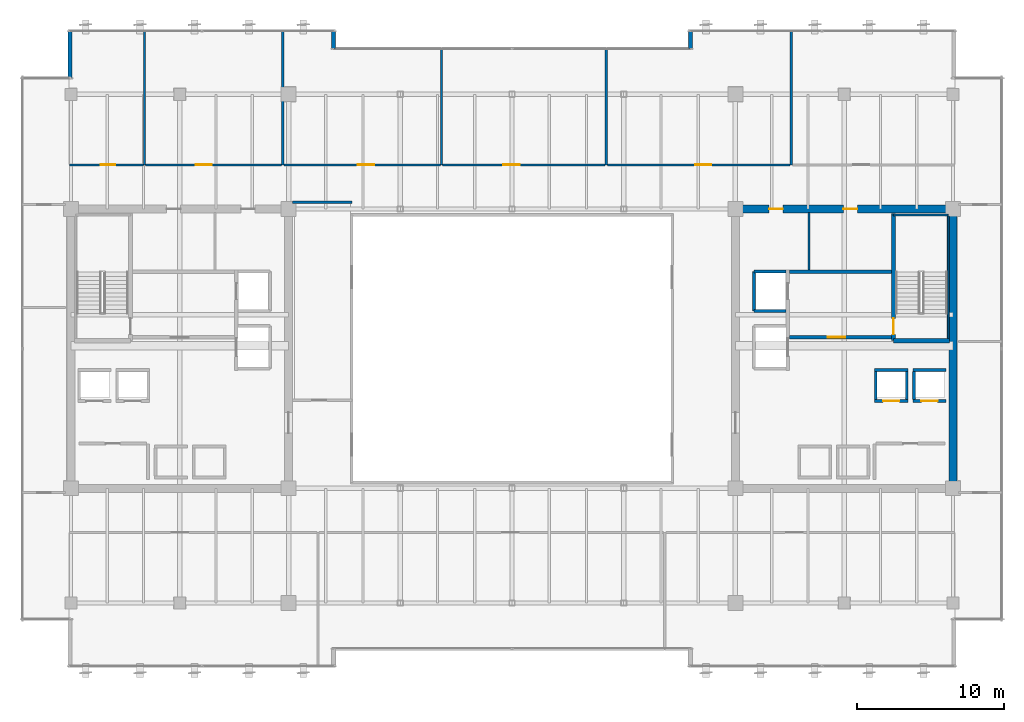
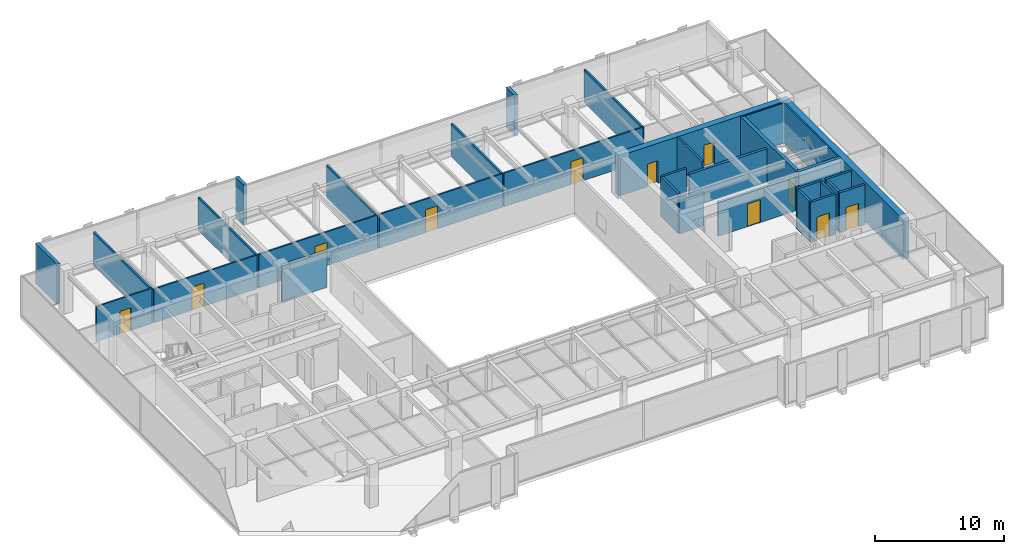
# One storey, part 30 of 35: 33 walls, 11 doors, 11 openings.
"""IFC4 building model written with IfcOpenShell, lengths in metres."""

from ifc_helpers import new_model, si_unit, direction, frame, frame_2d, origin, place, context, subcontext, project, spatial, rectangle, extrude, source, transform, mapped, material, layer, layer_set, type_object, type_shapes, element, fill, save


model = new_model("IFC4")

# Units and contexts
model_context = context("Model", 3, precision=1e-05, world=origin(), true_north=direction((0.0, 1.0)))
body_context = subcontext(model_context, "Body", "Model", "MODEL_VIEW")
ifc_project = project(units=[si_unit("LENGTHUNIT", "METRE"), si_unit("AREAUNIT", "SQUARE_METRE"), si_unit("VOLUMEUNIT", "CUBIC_METRE"), si_unit("PLANEANGLEUNIT", "RADIAN"), si_unit("MASSUNIT", "GRAM", prefix="KILO")], contexts=[model_context])

# Site, building, storey
site_placement = place(None, origin())
site = spatial("IfcSite", under=ifc_project, at=site_placement, CompositionType="ELEMENT")
building_placement = place(site_placement, origin())
building = spatial("IfcBuilding", under=site, at=building_placement, Name="Haelvirn Gate Laboratories", CompositionType="ELEMENT")
storey_placement = place(building_placement, frame((0.0, 0.0, 201.39990234375)))
storey = spatial("IfcBuildingStorey", under=building, at=storey_placement, Name="L48", CompositionType="ELEMENT", Elevation=201.39990234375)

# Walls
ifc_material_1 = material(Name="Thermally-broken bronze aluminium rainscreen & mineral wool", Category="aluminium")
ifc_layer_1 = layer(ifc_material_1, 0.280029296875, Name="EW-TERR-280")
ifc_layer_set_1 = layer_set([ifc_layer_1], Name="Thermally-broken bronze aluminium rainscreen & mineral wool")
wall_type_1 = type_object("IfcWallType", Name="EW-TERR-280", PredefinedType="STANDARD", material=ifc_layer_set_1)
for number, where, z_axis, x_axis, name in (
    (1, (49.5400390625, 46.0, 0.0), (0.0, 0.0, 1.0), (0.0, -1.0, 0.0), "L48 Atrium Recess Bronze Return Wall 11"),
    (2, (25.260009765625, 44.70703125, 0.0), (0.0, 0.0, 1.0), (0.0, 1.0, 0.0), "L48 Atrium Recess Bronze Return Wall 13"),
):
    element("IfcWall", number, at=place(storey_placement, frame(where, z_axis=z_axis, x_axis=x_axis)), inside=storey, type_object=wall_type_1, Name=name, PredefinedType="STANDARD", context=body_context, shape_type="SweptSolid", body=[
        extrude(rectangle(XDim=1.29296875, YDim=0.280029296875, at=frame_2d((0.646484375, 0.0))), origin(), (0.0, 0.0, 1.0), 3.800048828125),
    ])
wall_1_placement = place(storey_placement, frame((7.340087890625, 46.0, 0.0), z_axis=(0.0, 0.0, 1.0), x_axis=(0.0, -1.0, 0.0)))
element("IfcWall", 3, at=wall_1_placement, inside=storey, type_object=wall_type_1, Name="L48 Atrium Recess Bronze Return Wall 15", PredefinedType="STANDARD", context=body_context, shape_type="SweptSolid", body=[
    extrude(rectangle(XDim=3.2880859375, YDim=0.280029296875, at=frame_2d((1.64404296875, 0.0))), origin(), (0.0, 0.0, 1.0), 3.800048828125),
])
ifc_material_2 = material(Name="Double-layer acoustic gypsum laboratory partition", Category="gypsum")
ifc_layer_2 = layer(ifc_material_2, 0.159912109375, Name="IW-ACOUST-160")
ifc_layer_set_2 = layer_set([ifc_layer_2], Name="Double-layer acoustic gypsum laboratory partition")
wall_type_2 = type_object("IfcWallType", Name="IW-ACOUST-160", PredefinedType="PARTITIONING", material=ifc_layer_set_2)
for number, where, z_axis, x_axis, name in (
    (4, (12.39990234375, 36.81005859375, 0.0), (0.0, 0.0, 1.0), (0.0, 1.0, 0.0), "L48 Interior Wall IW-L48-NDIV-01"),
    (5, (21.800048828125, 36.81005859375, 0.0), (0.0, 0.0, 1.0), (0.0, 1.0, 0.0), "L48 Interior Wall IW-L48-NDIV-02"),
):
    element("IfcWall", number, at=place(storey_placement, frame(where, z_axis=z_axis, x_axis=x_axis)), inside=storey, type_object=wall_type_2, Name=name, PredefinedType="PARTITIONING", context=body_context, shape_type="SweptSolid", body=[
        extrude(rectangle(XDim=9.079833984375, YDim=0.159912109375, at=frame_2d((4.5400390625, 0.0))), origin(), (0.0, 0.0, 1.0), 3.135009765625),
    ])
for number, where, z_axis, x_axis, name in (
    (6, (32.60009765625, 36.81005859375, 0.0), (0.0, 0.0, 1.0), (0.0, 1.0, 0.0), "L48 Interior Wall IW-L48-NDIV-03"),
    (7, (43.800048828125, 36.81005859375, 0.0), (0.0, 0.0, 1.0), (0.0, 1.0, 0.0), "L48 Interior Wall IW-L48-NDIV-04"),
):
    element("IfcWall", number, at=place(storey_placement, frame(where, z_axis=z_axis, x_axis=x_axis)), inside=storey, type_object=wall_type_2, Name=name, PredefinedType="PARTITIONING", context=body_context, shape_type="SweptSolid", body=[
        extrude(rectangle(XDim=7.8798828125, YDim=0.159912109375, at=frame_2d((3.93994140625, 0.0))), origin(), (0.0, 0.0, 1.0), 3.135009765625),
    ])
wall_2_placement = place(storey_placement, frame((56.39990234375, 36.81005859375, 0.0), z_axis=(0.0, 0.0, 1.0), x_axis=(0.0, 1.0, 0.0)))
element("IfcWall", 8, at=wall_2_placement, inside=storey, type_object=wall_type_2, Name="L48 Interior Wall IW-L48-NDIV-05", PredefinedType="PARTITIONING", context=body_context, shape_type="SweptSolid", body=[
    extrude(rectangle(XDim=9.079833984375, YDim=0.159912109375, at=frame_2d((4.5400390625, 0.0))), origin(), (0.0, 0.0, 1.0), 3.135009765625),
])
ifc_material_3 = material(Name="Fire-rated acoustic gypsum board partition", Category="gypsum")
ifc_layer_3 = layer(ifc_material_3, 0.175048828125, Name="IW-ACOUST-180")
ifc_layer_set_3 = layer_set([ifc_layer_3], Name="Fire-rated acoustic gypsum board partition")
wall_type_3 = type_object("IfcWallType", Name="IW-ACOUST-180", PredefinedType="PARTITIONING", material=ifc_layer_set_3)
wall_3_placement = place(storey_placement, frame((22.47509765625, 34.260009765625, 0.0), z_axis=(0.0, 0.0, 1.0), x_axis=(1.0, 0.0, 0.0)))
element("IfcWall", 9, at=wall_3_placement, inside=storey, type_object=wall_type_3, Name="L48 Interior Wall IW-L48-WPOD-N", PredefinedType="PARTITIONING", context=body_context, shape_type="SweptSolid", body=[
    extrude(rectangle(XDim=4.02490234375, YDim=0.175048828125, at=frame_2d((2.012451171875, 0.0))), origin(), (0.0, 0.0, 1.0), 3.485107421875),
])

# Wall, opening, door
ifc_material_4 = material(Name="Acoustic mineral-wool gypsum board partition", Category="gypsum")
ifc_layer_4 = layer(ifc_material_4, 0.139892578125, Name="IW-PART-140")
ifc_layer_set_4 = layer_set([ifc_layer_4], Name="Acoustic mineral-wool gypsum board partition")
wall_type_4 = type_object("IfcWallType", Name="IW-PART-140", PredefinedType="PARTITIONING", material=ifc_layer_set_4)
wall_4_placement = place(storey_placement, frame((7.31005859375, 36.81005859375, 0.0), z_axis=(0.0, 0.0, 1.0), x_axis=(1.0, 0.0, 0.0)))
wall_4 = element("IfcWall", 10, at=wall_4_placement, inside=storey, type_object=wall_type_4, Name="L48 Interior Wall IW-L48-NCORR-01", PredefinedType="PARTITIONING", context=body_context, shape_type="SweptSolid", body=[
    extrude(rectangle(XDim=5.010009765625, YDim=0.139892578125, at=frame_2d((2.5048828125, 0.0))), origin(), (0.0, 0.0, 1.0), 3.335205078125),
])
opening_1_placement = place(wall_4_placement, frame((2.104248046875, 0.0, 0.0)))
opening_1 = element("IfcOpeningElement", 11, at=opening_1_placement, cuts=wall_4, Name="Opening D2", PredefinedType="OPENING", context=body_context, shape_type="SweptSolid", body=[
    extrude(rectangle(XDim=1.0, YDim=2.14990234375, at=frame_2d((0.5, 1.074951171875))), frame((0.0, 0.080078125, 0.0), z_axis=(0.0, -1.0, 0.0), x_axis=(1.0, 0.0, 0.0)), (0.0, 0.0, 1.0), 0.159912109375),
])
ifc_material_5 = material(Name="Acoustic solid-core timber suite door", Category="wood")
door_type_1 = type_object("IfcDoorType", Name="DR-INT-1000", OperationType="NOTDEFINED", PredefinedType="DOOR", material=ifc_material_5)
shared_shape_1 = source(origin(), body_context, "Body", "SweptSolid", [
    extrude(rectangle(XDim=1.0, YDim=2.14990234375, at=frame_2d((0.5, 1.074951171875))), frame((0.0, 0.02490234375, 0.0), z_axis=(0.0, -1.0, 0.0), x_axis=(1.0, 0.0, 0.0)), (0.0, 0.0, 1.0), 0.050048828125),
])
type_shapes(door_type_1, [shared_shape_1])
door_1_placement = place(opening_1_placement, origin())
door_1 = element("IfcDoor", 12, at=door_1_placement, inside=storey, type_object=door_type_1, Name="L48 Bioinformatics Dry-Lab Workspace Door N1", OperationType="SINGLE_SWING_RIGHT", OverallHeight=2.14990234375, OverallWidth=1.0, PredefinedType="DOOR", context=body_context, shape_type="MappedRepresentation", body=[
    mapped(shared_shape_1, transform((0.0, 0.0, 0.0), scale=1.0)),
])
fill(opening_1, door_1)

wall_5_placement = place(storey_placement, frame((12.47998046875, 36.81005859375, 0.0), z_axis=(0.0, 0.0, 1.0), x_axis=(1.0, 0.0, 0.0)))
wall_5 = element("IfcWall", 13, at=wall_5_placement, inside=storey, type_object=wall_type_4, Name="L48 Interior Wall IW-L48-NCORR-02", PredefinedType="PARTITIONING", context=body_context, shape_type="SweptSolid", body=[
    extrude(rectangle(XDim=9.239990234375, YDim=0.139892578125, at=frame_2d((4.6201171875, 0.0))), origin(), (0.0, 0.0, 1.0), 3.197021484375),
])
opening_2_placement = place(wall_5_placement, frame((3.400390625, 0.0, 0.0)))
opening_2 = element("IfcOpeningElement", 14, at=opening_2_placement, cuts=wall_5, Name="Opening D1", PredefinedType="OPENING", context=body_context, shape_type="SweptSolid", body=[
    extrude(rectangle(XDim=1.10009765625, YDim=2.179931640625, at=frame_2d((0.550048828125, 1.08984375))), frame((0.0, 0.080078125, 0.0), z_axis=(0.0, -1.0, 0.0), x_axis=(1.0, 0.0, 0.0)), (0.0, 0.0, 1.0), 0.159912109375),
])
ifc_material_6 = material(Name="Vision-panel acoustic solid-core timber lab door", Category="wood")
door_type_2 = type_object("IfcDoorType", Name="DR-LAB-1100", OperationType="NOTDEFINED", PredefinedType="DOOR", material=ifc_material_6)
shared_shape_2 = source(origin(), body_context, "Body", "SweptSolid", [
    extrude(rectangle(XDim=1.10009765625, YDim=2.179931640625, at=frame_2d((0.550048828125, 1.08984375))), frame((0.0, 0.02490234375, 0.0), z_axis=(0.0, -1.0, 0.0), x_axis=(1.0, 0.0, 0.0)), (0.0, 0.0, 1.0), 0.050048828125),
])
type_shapes(door_type_2, [shared_shape_2])
door_2_placement = place(opening_2_placement, origin())
door_2 = element("IfcDoor", 15, at=door_2_placement, inside=storey, type_object=door_type_2, Name="L48 Cryo-EM Imaging Suite Door N2", OperationType="SINGLE_SWING_LEFT", OverallHeight=2.179931640625, OverallWidth=1.10009765625, PredefinedType="DOOR", context=body_context, shape_type="MappedRepresentation", body=[
    mapped(shared_shape_2, transform((0.0, 0.0, 0.0), scale=1.0)),
])
fill(opening_2, door_2)

wall_6_placement = place(storey_placement, frame((21.8798828125, 36.81005859375, 0.0), z_axis=(0.0, 0.0, 1.0), x_axis=(1.0, 0.0, 0.0)))
wall_6 = element("IfcWall", 16, at=wall_6_placement, inside=storey, type_object=wall_type_4, Name="L48 Interior Wall IW-L48-NCORR-03", PredefinedType="PARTITIONING", context=body_context, shape_type="SweptSolid", body=[
    extrude(rectangle(XDim=10.64013671875, YDim=0.139892578125, at=frame_2d((5.320068359375, 0.0))), origin(), (0.0, 0.0, 1.0), 3.197021484375),
])
opening_3_placement = place(wall_6_placement, frame((5.03515625, 0.0, 0.0)))
opening_3 = element("IfcOpeningElement", 17, at=opening_3_placement, cuts=wall_6, Name="Opening D1", PredefinedType="OPENING", context=body_context, shape_type="SweptSolid", body=[
    extrude(rectangle(XDim=1.10009765625, YDim=2.179931640625, at=frame_2d((0.550048828125, 1.08984375))), frame((0.0, 0.080078125, 0.0), z_axis=(0.0, -1.0, 0.0), x_axis=(1.0, 0.0, 0.0)), (0.0, 0.0, 1.0), 0.159912109375),
])
door_3_placement = place(opening_3_placement, origin())
door_3 = element("IfcDoor", 18, at=door_3_placement, inside=storey, type_object=door_type_2, Name="L48 Analytical Instrument Suite Door N3", OperationType="SINGLE_SWING_RIGHT", OverallHeight=2.179931640625, OverallWidth=1.10009765625, PredefinedType="DOOR", context=body_context, shape_type="MappedRepresentation", body=[
    mapped(shared_shape_2, transform((0.0, 0.0, 0.0), scale=1.0)),
])
fill(opening_3, door_3)

wall_7_placement = place(storey_placement, frame((32.679931640625, 36.81005859375, 0.0), z_axis=(0.0, 0.0, 1.0), x_axis=(1.0, 0.0, 0.0)))
wall_7 = element("IfcWall", 19, at=wall_7_placement, inside=storey, type_object=wall_type_4, Name="L48 Interior Wall IW-L48-NCORR-04", PredefinedType="PARTITIONING", context=body_context, shape_type="SweptSolid", body=[
    extrude(rectangle(XDim=11.0400390625, YDim=0.139892578125, at=frame_2d((5.52001953125, 0.0))), origin(), (0.0, 0.0, 1.0), 3.197021484375),
])
opening_4_placement = place(wall_7_placement, frame((4.138427734375, 0.0, 0.0)))
opening_4 = element("IfcOpeningElement", 20, at=opening_4_placement, cuts=wall_7, Name="Opening D1", PredefinedType="OPENING", context=body_context, shape_type="SweptSolid", body=[
    extrude(rectangle(XDim=1.10009765625, YDim=2.179931640625, at=frame_2d((0.550048828125, 1.08984375))), frame((0.0, 0.080078125, 0.0), z_axis=(0.0, -1.0, 0.0), x_axis=(1.0, 0.0, 0.0)), (0.0, 0.0, 1.0), 0.159912109375),
])
door_4_placement = place(opening_4_placement, origin())
door_4 = element("IfcDoor", 21, at=door_4_placement, inside=storey, type_object=door_type_2, Name="L48 Cleanroom Metrology Suite Door N4", OperationType="SINGLE_SWING_LEFT", OverallHeight=2.179931640625, OverallWidth=1.10009765625, PredefinedType="DOOR", context=body_context, shape_type="MappedRepresentation", body=[
    mapped(shared_shape_2, transform((0.0, 0.0, 0.0), scale=1.0)),
])
fill(opening_4, door_4)

wall_8_placement = place(storey_placement, frame((43.8798828125, 36.81005859375, 0.0), z_axis=(0.0, 0.0, 1.0), x_axis=(1.0, 0.0, 0.0)))
wall_8 = element("IfcWall", 22, at=wall_8_placement, inside=storey, type_object=wall_type_4, Name="L48 Interior Wall IW-L48-NCORR-05", PredefinedType="PARTITIONING", context=body_context, shape_type="SweptSolid", body=[
    extrude(rectangle(XDim=12.440185546875, YDim=0.139892578125, at=frame_2d((6.22021484375, 0.0))), origin(), (0.0, 0.0, 1.0), 3.197021484375),
])
opening_5_placement = place(wall_8_placement, frame((5.9892578125, 0.0, 0.0)))
opening_5 = element("IfcOpeningElement", 23, at=opening_5_placement, cuts=wall_8, Name="Opening D1", PredefinedType="OPENING", context=body_context, shape_type="SweptSolid", body=[
    extrude(rectangle(XDim=1.10009765625, YDim=2.179931640625, at=frame_2d((0.550048828125, 1.08984375))), frame((0.0, 0.080078125, 0.0), z_axis=(0.0, -1.0, 0.0), x_axis=(1.0, 0.0, 0.0)), (0.0, 0.0, 1.0), 0.159912109375),
])
door_5_placement = place(opening_5_placement, origin())
door_5 = element("IfcDoor", 24, at=door_5_placement, inside=storey, type_object=door_type_2, Name="L48 Cryo-EM Imaging Suite Door N5", OperationType="SINGLE_SWING_RIGHT", OverallHeight=2.179931640625, OverallWidth=1.10009765625, PredefinedType="DOOR", context=body_context, shape_type="MappedRepresentation", body=[
    mapped(shared_shape_2, transform((0.0, 0.0, 0.0), scale=1.0)),
])
fill(opening_5, door_5)

# Walls
ifc_material_7 = material(Name="Cement-board restroom plumbing chase wall", Category="gypsum")
ifc_layer_5 = layer(ifc_material_7, 0.155029296875, Name="IW-PLUMB-160")
ifc_layer_set_5 = layer_set([ifc_layer_5], Name="Cement-board restroom plumbing chase wall")
wall_type_5 = type_object("IfcWallType", Name="IW-PLUMB-160", PredefinedType="PLUMBINGWALL", material=ifc_layer_set_5)
wall_9_placement = place(storey_placement, frame((57.610107421875, 29.64990234375, 0.0), z_axis=(0.0, 0.0, 1.0), x_axis=(0.0, 1.0, 0.0)))
element("IfcWall", 25, at=wall_9_placement, inside=storey, type_object=wall_type_5, Name="L48 Interior Wall IW-L48-E-CDIV-1", PredefinedType="PLUMBINGWALL", context=body_context, shape_type="SweptSolid", body=[
    extrude(rectangle(XDim=3.93017578125, YDim=0.155029296875, at=frame_2d((1.965087890625, 0.0))), origin(), (0.0, 0.0, 1.0), 3.800048828125),
])
ifc_material_8 = material(Name="Concrete C40/50", Category="concrete")
ifc_layer_6 = layer(ifc_material_8, 0.179931640625, Name="IW-SHAFT-180")
ifc_layer_set_6 = layer_set([ifc_layer_6], Name="Concrete C40/50")
wall_type_6 = type_object("IfcWallType", Name="IW-SHAFT-180", PredefinedType="SOLIDWALL", material=ifc_layer_set_6)
for number, where, z_axis, x_axis, name in (
    (26, (64.75, 20.85009765625, 0.0), (0.0, 0.0, 1.0), (0.0, 1.0, 0.0), "L48 Interior Wall IW-L48-PL11-SD"),
    (27, (62.14990234375, 20.85009765625, 0.0), (0.0, 0.0, 1.0), (0.0, 1.0, 0.0), "L48 Interior Wall IW-L48-PL12-SD"),
    (28, (64.25, 20.85009765625, 0.0), (0.0, 0.0, 1.0), (0.0, 1.0, 0.0), "L48 Interior Wall IW-L48-PL12-SDE"),
):
    element("IfcWall", number, at=place(storey_placement, frame(where, z_axis=z_axis, x_axis=x_axis)), inside=storey, type_object=wall_type_6, Name=name, PredefinedType="SOLIDWALL", context=body_context, shape_type="SweptSolid", body=[
        extrude(rectangle(XDim=1.89990234375, YDim=0.179931640625, at=frame_2d((0.949951171875, 0.0))), origin(), (0.0, 0.0, 1.0), 3.800048828125),
    ])

# Wall, opening, door
ifc_layer_7 = layer(ifc_material_8, 0.199951171875, Name="IW-SHAFT-200")
ifc_layer_set_7 = layer_set([ifc_layer_7], Name="Concrete C40/50")
wall_type_7 = type_object("IfcWallType", Name="IW-SHAFT-200", PredefinedType="SOLIDWALL", material=ifc_layer_set_7)
wall_10_placement = place(storey_placement, frame((64.669921875, 20.75, 0.0), z_axis=(0.0, 0.0, 1.0), x_axis=(1.0, 0.0, 0.0)))
wall_10 = element("IfcWall", 29, at=wall_10_placement, inside=storey, type_object=wall_type_7, Name="L48 Interior Wall IW-L48-PL11-FR", PredefinedType="SOLIDWALL", context=body_context, shape_type="SweptSolid", body=[
    extrude(rectangle(XDim=2.260009765625, YDim=0.199951171875, at=frame_2d((1.1298828125, 0.0))), origin(), (0.0, 0.0, 1.0), 3.800048828125),
])
opening_6_placement = place(wall_10_placement, frame((0.580078125, 0.0, 0.0)))
opening_6 = element("IfcOpeningElement", 30, at=opening_6_placement, cuts=wall_10, Name="Opening LD2", PredefinedType="OPENING", context=body_context, shape_type="SweptSolid", body=[
    extrude(rectangle(XDim=1.10009765625, YDim=2.219970703125, at=frame_2d((0.550048828125, 1.10986328125))), frame((0.0, 0.10986328125, 0.0), z_axis=(0.0, -1.0, 0.0), x_axis=(1.0, 0.0, 0.0)), (0.0, 0.0, 1.0), 0.219970703125),
])
ifc_material_9 = material(Name="Bronze stainless 316L sliding lift landing door")
door_type_3 = type_object("IfcDoorType", Name="DR-LD-1100", OperationType="NOTDEFINED", PredefinedType="USERDEFINED", material=ifc_material_9)
shared_shape_3 = source(origin(), body_context, "Body", "SweptSolid", [
    extrude(rectangle(XDim=1.10009765625, YDim=2.219970703125, at=frame_2d((0.550048828125, 1.10986328125))), frame((0.0, 0.02490234375, 0.0), z_axis=(0.0, -1.0, 0.0), x_axis=(1.0, 0.0, 0.0)), (0.0, 0.0, 1.0), 0.050048828125),
])
type_shapes(door_type_3, [shared_shape_3])
door_6_placement = place(opening_6_placement, origin())
door_6 = element("IfcDoor", 31, at=door_6_placement, inside=storey, type_object=door_type_3, Name="L48 Passenger Lift PL11 Landing Door", ObjectType="LANDING_DOOR", OperationType="SLIDING_TO_LEFT", OverallHeight=2.219970703125, OverallWidth=1.10009765625, PredefinedType="USERDEFINED", context=body_context, shape_type="MappedRepresentation", body=[
    mapped(shared_shape_3, transform((0.0, 0.0, 0.0), scale=1.0)),
])
fill(opening_6, door_6)

# Wall
wall_11_placement = place(storey_placement, frame((64.669921875, 22.85009765625, 0.0), z_axis=(0.0, 0.0, 1.0), x_axis=(1.0, 0.0, 0.0)))
element("IfcWall", 32, at=wall_11_placement, inside=storey, type_object=wall_type_7, Name="L48 Interior Wall IW-L48-PL11-BK", PredefinedType="SOLIDWALL", context=body_context, shape_type="SweptSolid", body=[
    extrude(rectangle(XDim=2.260009765625, YDim=0.199951171875, at=frame_2d((1.1298828125, 0.0))), origin(), (0.0, 0.0, 1.0), 3.800048828125),
])

# Wall, opening, door
wall_12_placement = place(storey_placement, frame((62.070068359375, 20.75, 0.0), z_axis=(0.0, 0.0, 1.0), x_axis=(1.0, 0.0, 0.0)))
wall_12 = element("IfcWall", 33, at=wall_12_placement, inside=storey, type_object=wall_type_7, Name="L48 Interior Wall IW-L48-PL12-FR", PredefinedType="SOLIDWALL", context=body_context, shape_type="SweptSolid", body=[
    extrude(rectangle(XDim=2.260009765625, YDim=0.199951171875, at=frame_2d((1.1298828125, 0.0))), origin(), (0.0, 0.0, 1.0), 3.800048828125),
])
opening_7_placement = place(wall_12_placement, frame((0.580078125, 0.0, 0.0)))
opening_7 = element("IfcOpeningElement", 34, at=opening_7_placement, cuts=wall_12, Name="Opening LD2", PredefinedType="OPENING", context=body_context, shape_type="SweptSolid", body=[
    extrude(rectangle(XDim=1.10009765625, YDim=2.219970703125, at=frame_2d((0.550048828125, 1.10986328125))), frame((0.0, 0.10986328125, 0.0), z_axis=(0.0, -1.0, 0.0), x_axis=(1.0, 0.0, 0.0)), (0.0, 0.0, 1.0), 0.219970703125),
])
door_7_placement = place(opening_7_placement, origin())
door_7 = element("IfcDoor", 35, at=door_7_placement, inside=storey, type_object=door_type_3, Name="L48 Passenger Lift PL12 Landing Door", ObjectType="LANDING_DOOR", OperationType="SLIDING_TO_RIGHT", OverallHeight=2.219970703125, OverallWidth=1.10009765625, PredefinedType="USERDEFINED", context=body_context, shape_type="MappedRepresentation", body=[
    mapped(shared_shape_3, transform((0.0, 0.0, 0.0), scale=1.0)),
])
fill(opening_7, door_7)

# Walls
wall_13_placement = place(storey_placement, frame((62.070068359375, 22.85009765625, 0.0), z_axis=(0.0, 0.0, 1.0), x_axis=(1.0, 0.0, 0.0)))
element("IfcWall", 36, at=wall_13_placement, inside=storey, type_object=wall_type_7, Name="L48 Interior Wall IW-L48-PL12-BK", PredefinedType="SOLIDWALL", context=body_context, shape_type="SweptSolid", body=[
    extrude(rectangle(XDim=2.260009765625, YDim=0.199951171875, at=frame_2d((1.1298828125, 0.0))), origin(), (0.0, 0.0, 1.0), 3.800048828125),
])
wall_14_placement = place(storey_placement, frame((53.85009765625, 26.85009765625, 0.0), z_axis=(0.0, 0.0, 1.0), x_axis=(0.0, 1.0, 0.0)))
element("IfcWall", 37, at=wall_14_placement, inside=storey, type_object=wall_type_7, Name="L48 Interior Wall IW-L48-FL2-BK", PredefinedType="SOLIDWALL", context=body_context, shape_type="SweptSolid", body=[
    extrude(rectangle(XDim=2.699951171875, YDim=0.199951171875, at=frame_2d((1.35009765625, 0.0))), origin(), (0.0, 0.0, 1.0), 3.800048828125),
])
wall_15_placement = place(storey_placement, frame((53.85009765625, 29.550048828125, 0.0), z_axis=(0.0, 0.0, 1.0), x_axis=(1.0, 0.0, 0.0)))
element("IfcWall", 38, at=wall_15_placement, inside=storey, type_object=wall_type_7, Name="L48 Interior Wall IW-L48-FL2-N", PredefinedType="SOLIDWALL", context=body_context, shape_type="SweptSolid", body=[
    extrude(rectangle(XDim=2.18994140625, YDim=0.199951171875, at=frame_2d((1.094970703125, 0.0))), origin(), (0.0, 0.0, 1.0), 3.800048828125),
])
wall_16_placement = place(storey_placement, frame((53.85009765625, 26.85009765625, 0.0), z_axis=(0.0, 0.0, 1.0), x_axis=(1.0, 0.0, 0.0)))
element("IfcWall", 39, at=wall_16_placement, inside=storey, type_object=wall_type_7, Name="L48 Interior Wall IW-L48-FL2-S", PredefinedType="SOLIDWALL", context=body_context, shape_type="SweptSolid", body=[
    extrude(rectangle(XDim=2.18994140625, YDim=0.199951171875, at=frame_2d((1.094970703125, 0.0))), origin(), (0.0, 0.0, 1.0), 3.197021484375),
])

# Wall, opening, door
ifc_layer_8 = layer(ifc_material_8, 0.239990234375, Name="IW-SHAFT-240")
ifc_layer_set_8 = layer_set([ifc_layer_8], Name="Concrete C40/50")
wall_type_8 = type_object("IfcWallType", Name="IW-SHAFT-240", PredefinedType="SOLIDWALL", material=ifc_layer_set_8)
wall_17_placement = place(storey_placement, frame((56.280029296875, 25.080078125, 0.0), z_axis=(0.0, 0.0, 1.0), x_axis=(1.0, 0.0, 0.0)))
wall_17 = element("IfcWall", 40, at=wall_17_placement, inside=storey, type_object=wall_type_8, Name="L48 Interior Wall IW-L48-E-FF-S", PredefinedType="SOLIDWALL", context=body_context, shape_type="SweptSolid", body=[
    extrude(rectangle(XDim=6.919921875, YDim=0.239990234375, at=frame_2d((3.4599609375, 0.0))), origin(), (0.0, 0.0, 1.0), 3.197021484375),
])
opening_8_placement = place(wall_17_placement, frame((2.60009765625, 0.0, 0.0)))
opening_8 = element("IfcOpeningElement", 41, at=opening_8_placement, cuts=wall_17, Name="Opening FD2", PredefinedType="OPENING", context=body_context, shape_type="SweptSolid", body=[
    extrude(rectangle(XDim=1.199951171875, YDim=2.159912109375, at=frame_2d((0.60009765625, 1.080078125))), frame((0.0, 0.1298828125, 0.0), z_axis=(0.0, -1.0, 0.0), x_axis=(1.0, 0.0, 0.0)), (0.0, 0.0, 1.0), 0.260009765625),
])
ifc_material_10 = material(Name="Fire-rated steel SM355 compartment door", Category="steel")
door_type_4 = type_object("IfcDoorType", Name="DR-FD-1200", OperationType="NOTDEFINED", PredefinedType="DOOR", material=ifc_material_10)
shared_shape_4 = source(origin(), body_context, "Body", "SweptSolid", [
    extrude(rectangle(XDim=1.199951171875, YDim=2.159912109375, at=frame_2d((0.60009765625, 1.080078125))), frame((0.0, 0.02490234375, 0.0), z_axis=(0.0, -1.0, 0.0), x_axis=(1.0, 0.0, 0.0)), (0.0, 0.0, 1.0), 0.050048828125),
])
type_shapes(door_type_4, [shared_shape_4])
door_8_placement = place(opening_8_placement, origin())
door_8 = element("IfcDoor", 42, at=door_8_placement, inside=storey, type_object=door_type_4, Name="L48 East Firefighting Lobby Door", OperationType="SINGLE_SWING_LEFT", OverallHeight=2.159912109375, OverallWidth=1.199951171875, PredefinedType="DOOR", context=body_context, shape_type="MappedRepresentation", body=[
    mapped(shared_shape_4, transform((0.0, 0.0, 0.0), scale=1.0)),
])
fill(opening_8, door_8)

# Wall
wall_18_placement = place(storey_placement, frame((56.280029296875, 29.52001953125, 0.0), z_axis=(0.0, 0.0, 1.0), x_axis=(1.0, 0.0, 0.0)))
element("IfcWall", 43, at=wall_18_placement, inside=storey, type_object=wall_type_8, Name="L48 Interior Wall IW-L48-E-FF-N", PredefinedType="SOLIDWALL", context=body_context, shape_type="SweptSolid", body=[
    extrude(rectangle(XDim=6.919921875, YDim=0.239990234375, at=frame_2d((3.4599609375, 0.0))), origin(), (0.0, 0.0, 1.0), 3.197021484375),
])

# Wall, openings, doors
ifc_material_11 = material(Name="Concrete C50/60", Category="concrete")
ifc_layer_9 = layer(ifc_material_11, 0.550048828125, Name="SW-CORE-550")
ifc_layer_set_9 = layer_set([ifc_layer_9], Name="Concrete C50/60")
wall_type_9 = type_object("IfcWallType", Name="SW-CORE-550", PredefinedType="SHEAR", material=ifc_layer_set_9)
wall_19_placement = place(storey_placement, frame((52.324951171875, 33.800048828125, 0.0), z_axis=(0.0, 0.0, 1.0), x_axis=(1.0, 0.0, 0.0)))
wall_19 = element("IfcWall", 44, at=wall_19_placement, inside=storey, type_object=wall_type_9, Name="L48 E Core Shear Wall N", PredefinedType="SHEAR", context=body_context, shape_type="SweptSolid", body=[
    extrude(rectangle(XDim=15.35009765625, YDim=0.550048828125, at=frame_2d((7.675048828125, 0.0))), origin(), (0.0, 0.0, 1.0), 3.800048828125),
])
opening_9_placement = place(wall_19_placement, frame((7.625, 0.0, 0.0)))
opening_9 = element("IfcOpeningElement", 45, at=opening_9_placement, cuts=wall_19, Name="Opening FD4", PredefinedType="OPENING", context=body_context, shape_type="SweptSolid", body=[
    extrude(rectangle(XDim=0.949951171875, YDim=2.14990234375, at=frame_2d((0.47509765625, 1.074951171875))), frame((0.0, 0.28515625, 0.0), z_axis=(0.0, -1.0, 0.0), x_axis=(1.0, 0.0, 0.0)), (0.0, 0.0, 1.0), 0.570068359375),
])
opening_10_placement = place(wall_19_placement, frame((2.56005859375, 0.0, 0.0)))
opening_10 = element("IfcOpeningElement", 46, at=opening_10_placement, cuts=wall_19, Name="Opening FD4", PredefinedType="OPENING", context=body_context, shape_type="SweptSolid", body=[
    extrude(rectangle(XDim=0.949951171875, YDim=2.14990234375, at=frame_2d((0.47509765625, 1.074951171875))), frame((0.0, 0.28515625, 0.0), z_axis=(0.0, -1.0, 0.0), x_axis=(1.0, 0.0, 0.0)), (0.0, 0.0, 1.0), 0.570068359375),
])
ifc_material_12 = material(Name="Fire-rated steel SM355 core service door", Category="steel")
door_type_5 = type_object("IfcDoorType", Name="DR-FD-950", OperationType="NOTDEFINED", PredefinedType="DOOR", material=ifc_material_12)
shared_shape_5 = source(origin(), body_context, "Body", "SweptSolid", [
    extrude(rectangle(XDim=0.949951171875, YDim=2.14990234375, at=frame_2d((0.47509765625, 1.074951171875))), frame((0.0, 0.02490234375, 0.0), z_axis=(0.0, -1.0, 0.0), x_axis=(1.0, 0.0, 0.0)), (0.0, 0.0, 1.0), 0.050048828125),
])
type_shapes(door_type_5, [shared_shape_5])
door_9_placement = place(opening_9_placement, origin())
door_9 = element("IfcDoor", 47, at=door_9_placement, inside=storey, type_object=door_type_5, Name="L48 All-Gender Multi-Stall Restroom Fire Door", OperationType="SINGLE_SWING_LEFT", OverallHeight=2.14990234375, OverallWidth=0.949951171875, PredefinedType="DOOR", context=body_context, shape_type="MappedRepresentation", body=[
    mapped(shared_shape_5, transform((0.0, 0.0, 0.0), scale=1.0)),
])
fill(opening_9, door_9)
door_10_placement = place(opening_10_placement, origin())
door_10 = element("IfcDoor", 48, at=door_10_placement, inside=storey, type_object=door_type_5, Name="L48 Accessible Restroom Fire Door", OperationType="SINGLE_SWING_RIGHT", OverallHeight=2.14990234375, OverallWidth=0.949951171875, PredefinedType="DOOR", context=body_context, shape_type="MappedRepresentation", body=[
    mapped(shared_shape_5, transform((0.0, 0.0, 0.0), scale=1.0)),
])
fill(opening_10, door_10)

# Walls
wall_20_placement = place(storey_placement, frame((67.39990234375, 15.074951171875, 0.0), z_axis=(0.0, 0.0, 1.0), x_axis=(0.0, 1.0, 0.0)))
element("IfcWall", 49, at=wall_20_placement, inside=storey, type_object=wall_type_9, Name="L48 E Core Shear Wall E", PredefinedType="SHEAR", context=body_context, shape_type="SweptSolid", body=[
    extrude(rectangle(XDim=18.449951171875, YDim=0.550048828125, at=frame_2d((9.22509765625, 0.0))), origin(), (0.0, 0.0, 1.0), 3.800048828125),
])
ifc_layer_10 = layer(ifc_material_11, 0.1201171875, Name="SW-LINER-120")
ifc_layer_set_10 = layer_set([ifc_layer_10], Name="Concrete C50/60")
wall_type_10 = type_object("IfcWallType", Name="SW-LINER-120", PredefinedType="SOLIDWALL", material=ifc_layer_set_10)
wall_21_placement = place(storey_placement, frame((63.35009765625, 33.39990234375, 0.0), z_axis=(0.0, 0.0, 1.0), x_axis=(1.0, 0.0, 0.0)))
element("IfcWall", 50, at=wall_21_placement, inside=storey, type_object=wall_type_10, Name="L48 E Core Stair Shaft Liner Wall N", PredefinedType="SOLIDWALL", context=body_context, shape_type="SweptSolid", body=[
    extrude(rectangle(XDim=3.719970703125, YDim=0.1201171875, at=frame_2d((1.85986328125, 0.0))), origin(), (0.0, 0.0, 1.0), 3.800048828125),
])
wall_22_placement = place(storey_placement, frame((67.070068359375, 25.0, 0.0), z_axis=(0.0, 0.0, 1.0), x_axis=(0.0, 1.0, 0.0)))
element("IfcWall", 51, at=wall_22_placement, inside=storey, type_object=wall_type_10, Name="L48 E Core Stair Shaft Liner Wall OUT", PredefinedType="SOLIDWALL", context=body_context, shape_type="SweptSolid", body=[
    extrude(rectangle(XDim=8.320068359375, YDim=0.1201171875, at=frame_2d((4.16015625, 0.0))), origin(), (0.0, 0.0, 1.0), 3.800048828125),
])

# Wall, opening, door
ifc_layer_11 = layer(ifc_material_11, 0.300048828125, Name="SW-STAIR-300")
ifc_layer_set_11 = layer_set([ifc_layer_11], Name="Concrete C50/60")
wall_type_11 = type_object("IfcWallType", Name="SW-STAIR-300", PredefinedType="SHEAR", material=ifc_layer_set_11)
wall_23_placement = place(storey_placement, frame((63.35009765625, 24.85009765625, 0.0), z_axis=(0.0, 0.0, 1.0), x_axis=(0.0, 1.0, 0.0)))
wall_23 = element("IfcWall", 52, at=wall_23_placement, inside=storey, type_object=wall_type_11, Name="L48 E Core Stair Shaft Structural Wall IN", PredefinedType="SHEAR", context=body_context, shape_type="SweptSolid", body=[
    extrude(rectangle(XDim=8.6298828125, YDim=0.300048828125, at=frame_2d((4.31494140625, 0.0))), origin(), (0.0, 0.0, 1.0), 3.800048828125),
])
opening_11_placement = place(wall_23_placement, frame((0.419921875, 0.0, 0.0)))
opening_11 = element("IfcOpeningElement", 53, at=opening_11_placement, cuts=wall_23, Name="Opening FD3", PredefinedType="OPENING", context=body_context, shape_type="SweptSolid", body=[
    extrude(rectangle(XDim=1.10009765625, YDim=2.14990234375, at=frame_2d((0.550048828125, 1.074951171875))), frame((0.0, 0.16015625, 0.0), z_axis=(0.0, -1.0, 0.0), x_axis=(1.0, 0.0, 0.0)), (0.0, 0.0, 1.0), 0.320068359375),
])
ifc_material_13 = material(Name="Fire-rated steel SM355 escape stair door", Category="steel")
door_type_6 = type_object("IfcDoorType", Name="DR-FD-1100", OperationType="NOTDEFINED", PredefinedType="DOOR", material=ifc_material_13)
shared_shape_6 = source(origin(), body_context, "Body", "SweptSolid", [
    extrude(rectangle(XDim=1.10009765625, YDim=2.14990234375, at=frame_2d((0.550048828125, 1.074951171875))), frame((0.0, 0.02490234375, 0.0), z_axis=(0.0, -1.0, 0.0), x_axis=(1.0, 0.0, 0.0)), (0.0, 0.0, 1.0), 0.050048828125),
])
type_shapes(door_type_6, [shared_shape_6])
door_11_placement = place(opening_11_placement, origin())
door_11 = element("IfcDoor", 54, at=door_11_placement, inside=storey, type_object=door_type_6, Name="L48 Escape Stair ST2 Fire Door", OperationType="SINGLE_SWING_RIGHT", OverallHeight=2.14990234375, OverallWidth=1.10009765625, PredefinedType="DOOR", context=body_context, shape_type="MappedRepresentation", body=[
    mapped(shared_shape_6, transform((0.0, 0.0, 0.0), scale=1.0)),
])
fill(opening_11, door_11)

# Wall
wall_24_placement = place(storey_placement, frame((63.35009765625, 24.85009765625, 0.0), z_axis=(0.0, 0.0, 1.0), x_axis=(1.0, 0.0, 0.0)))
element("IfcWall", 55, at=wall_24_placement, inside=storey, type_object=wall_type_11, Name="L48 E Core Stair Shaft Structural Wall S", PredefinedType="SHEAR", context=body_context, shape_type="SweptSolid", body=[
    extrude(rectangle(XDim=3.7998046875, YDim=0.300048828125, at=frame_2d((1.89990234375, 0.0))), origin(), (0.0, 0.0, 1.0), 3.800048828125),
])

save(model, "model.ifc")
